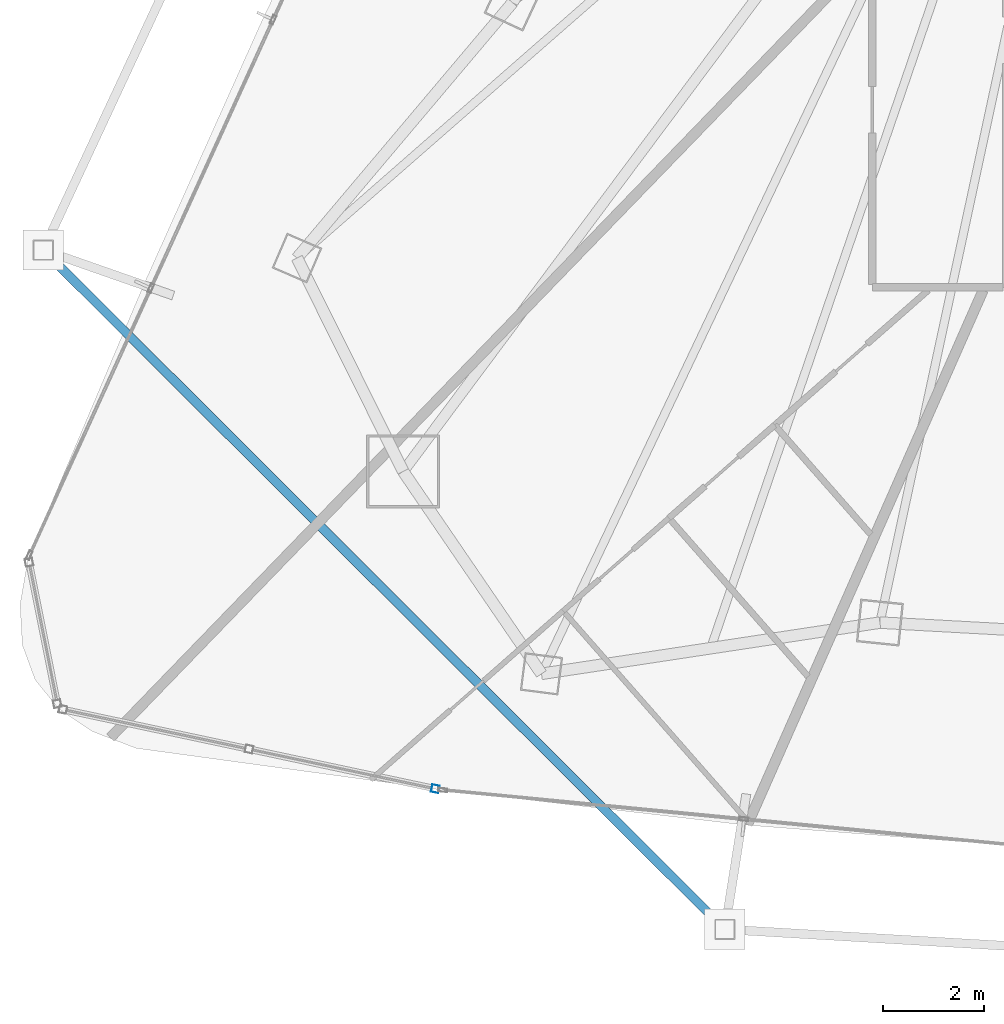
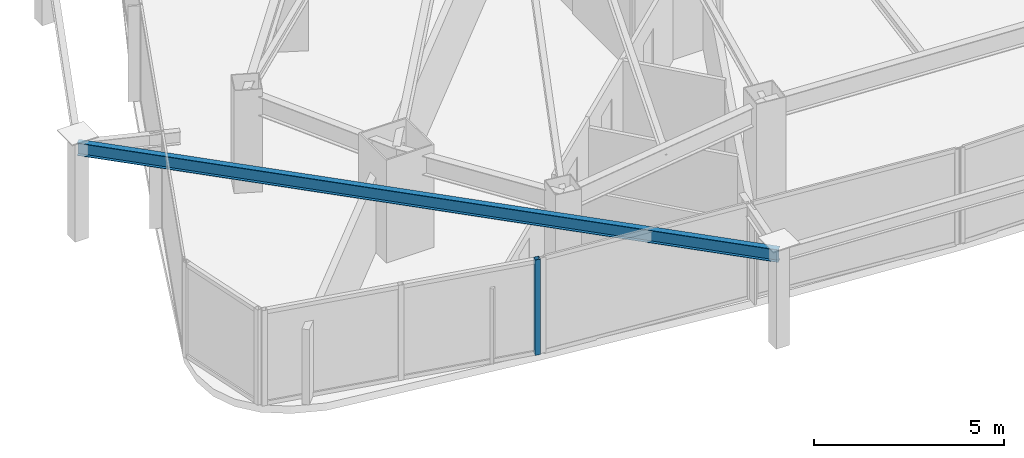
# One storey, part 3 of 31: 1 beam, 1 member, 1 element without a shape of its own.
"""IFC4 building model written with IfcOpenShell, lengths in metres."""

from ifc_helpers import new_model, si_unit, direction, frame, origin, origin_2d, place, context, subcontext, project, spatial, hollow_rectangle, i_section, extrude, material, layer, layer_set, material_profile, profile_set, type_object, element, aggregate, save


model = new_model("IFC4")

# Units and contexts
model_context = context("Model", 3, precision=1e-05, world=origin(), true_north=direction((0.0, 1.0)))
body_context = subcontext(model_context, "Body", "Model", "MODEL_VIEW")
ifc_project = project(units=[si_unit("LENGTHUNIT", "METRE"), si_unit("AREAUNIT", "SQUARE_METRE"), si_unit("VOLUMEUNIT", "CUBIC_METRE"), si_unit("PLANEANGLEUNIT", "RADIAN"), si_unit("MASSUNIT", "GRAM", prefix="KILO")], contexts=[model_context])

# Site, building, storey
site_placement = place(None, origin())
site = spatial("IfcSite", under=ifc_project, at=site_placement, CompositionType="ELEMENT")
building_placement = place(site_placement, origin())
building = spatial("IfcBuilding", under=site, at=building_placement, Name="Orvanel Arch Residences", CompositionType="ELEMENT")
storey_placement = place(building_placement, frame((0.0, 0.0, 113.300048828125)))
storey = spatial("IfcBuildingStorey", under=building, at=storey_placement, Name="L31", CompositionType="ELEMENT", Elevation=113.300048828125)

# Curtain wall, member
ifc_material_1 = material(Name="Bronze-anodised aluminium AA6063-T6", Category="aluminium")
ifc_layer = layer(ifc_material_1, 0.18994140625)
ifc_layer_set = layer_set([ifc_layer], Name="Bronze-anodised aluminium AA6063-T6")
curtain_wall_type = type_object("IfcCurtainWallType", Name="CW5-CRN-SYS", PredefinedType="NOTDEFINED", material=ifc_layer_set)
curtain_wall_placement = place(storey_placement, origin())
curtain_wall = element("IfcCurtainWall", 1, at=curtain_wall_placement, inside=storey, type_object=curtain_wall_type, Name="L31 CW5-CRN-SYS Unitised Curtain Wall", PredefinedType="NOTDEFINED")
ifc_material_profile_1 = material_profile(ifc_material_1, hollow_rectangle(XDim=0.14990234375, YDim=0.14990234375, WallThickness=0.0048828125, at=origin_2d()), Name="ALU150x150x5")
ifc_profile_set_1 = profile_set([ifc_material_profile_1], Name="Bronze-anodised aluminium AA6063-T6")
member_type = type_object("IfcMemberType", Name="MUL-150x150", PredefinedType="MULLION", material=ifc_profile_set_1)
member_placement = place(storey_placement, frame((14.836669921875, 4.060546875, 0.0), z_axis=(0.0, 0.0, 1.0), x_axis=(0.208295433244, 0.978065955082, 0.0)))
member = element("IfcMember", 2, at=member_placement, type_object=member_type, Name="CW-S5 mullion 3", PredefinedType="MULLION", context=body_context, shape_type="SweptSolid", body=[
    extrude(hollow_rectangle(XDim=0.14990234375, YDim=0.14990234375, WallThickness=0.0048828125, at=origin_2d()), origin(), (0.0, 0.0, 1.0), 3.06005859375),
])
aggregate(curtain_wall, [member])

# Beam
ifc_material_2 = material(Name="Structural steel AS/NZS 3679.1 Grade 300 (300 MPa)", Category="steel")
ifc_material_profile_2 = material_profile(ifc_material_2, i_section(OverallWidth=0.177978515625, OverallDepth=0.406005859375, WebThickness=0.0078125, FlangeThickness=0.0126953125, at=origin_2d()), Name="410UB59.7")
ifc_profile_set_2 = profile_set([ifc_material_profile_2], Name="Structural steel AS/NZS 3679.1 Grade 300 (300 MPa)")
beam_type = type_object("IfcBeamType", Name="OB-410UB-EXT", PredefinedType="SPANDREL", material=ifc_profile_set_2)
beam_placement = place(storey_placement, frame((7.06591796875, 14.739013671875, 2.85693359375), z_axis=(0.708308862663, -0.705902652689, 0.0), x_axis=(0.705902652689, 0.708308862663, 0.0)))
element("IfcBeam", 3, at=beam_placement, inside=storey, type_object=beam_type, Name="L31 Outer Perimeter Floor Ring Beam 04", PredefinedType="SPANDREL", context=body_context, shape_type="SweptSolid", body=[
    extrude(i_section(OverallWidth=0.177978515625, OverallDepth=0.406005859375, WebThickness=0.0078125, FlangeThickness=0.0126953125, at=origin_2d()), origin(), (0.0, 0.0, 1.0), 19.074951171875),
])

save(model, "model.ifc")
